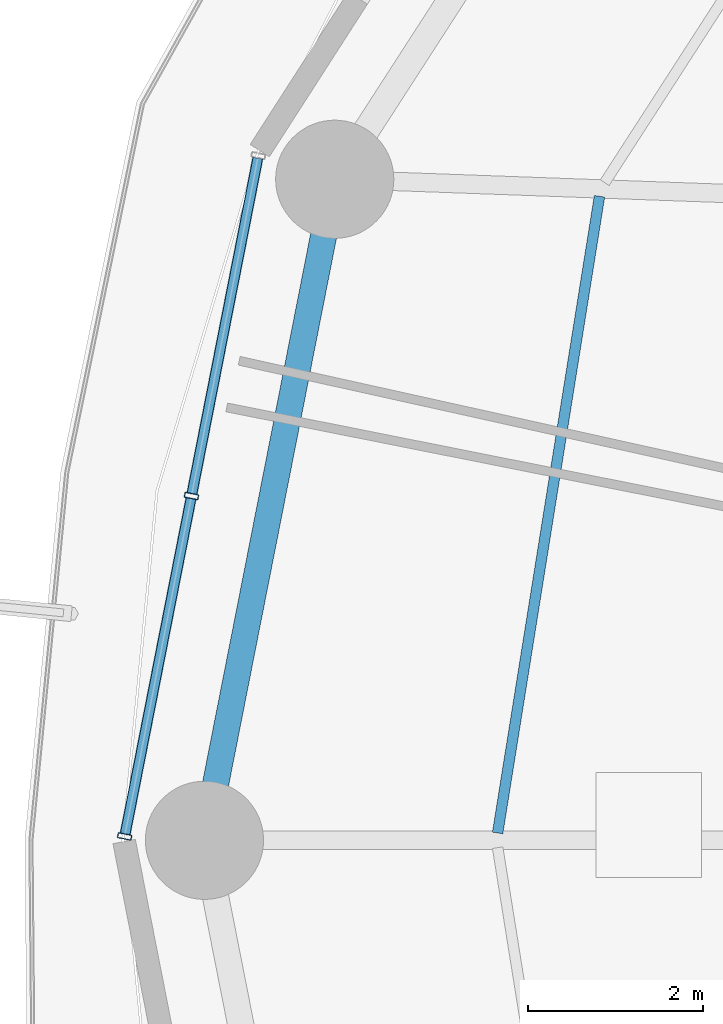
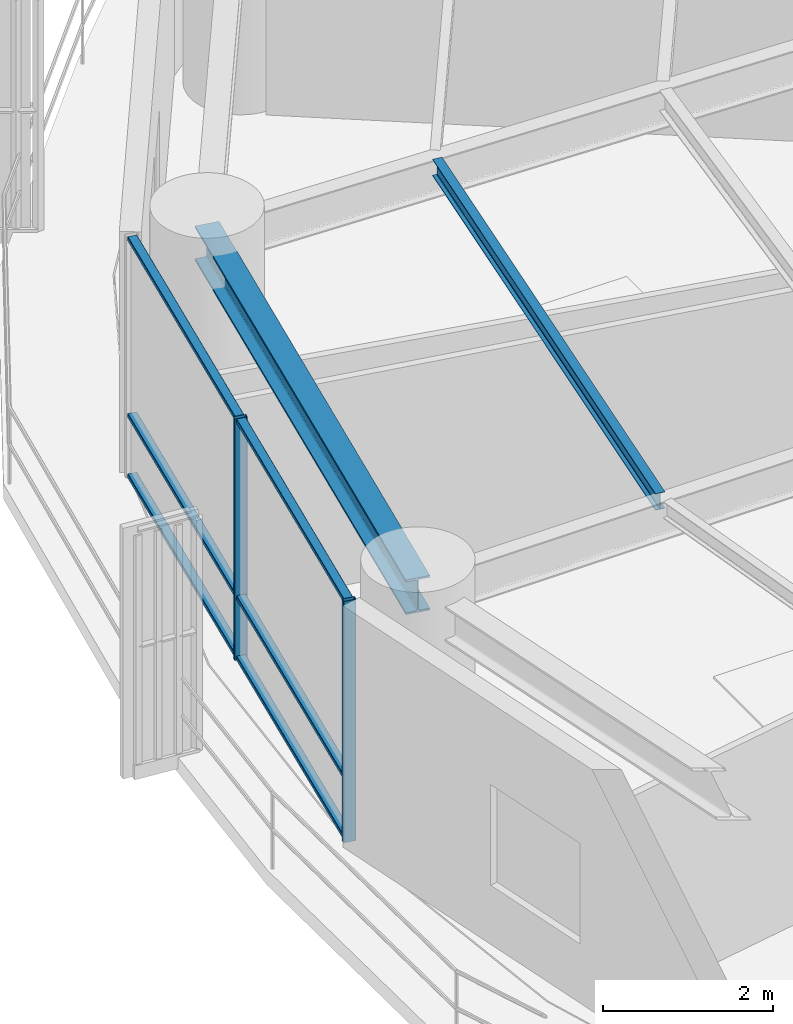
# One storey, part 8 of 35: 8 members, 2 beams, 1 element without a shape of its own.
"""IFC4 building model written with IfcOpenShell, lengths in metres."""

from ifc_helpers import new_model, si_unit, direction, frame, origin, origin_2d, place, context, subcontext, project, spatial, hollow_rectangle, i_section, extrude, material, layer, layer_set, material_profile, profile_set, type_object, element, aggregate, save


model = new_model("IFC4")

# Units and contexts
model_context = context("Model", 3, precision=1e-05, world=origin(), true_north=direction((0.0, 1.0)))
body_context = subcontext(model_context, "Body", "Model", "MODEL_VIEW")
ifc_project = project(units=[si_unit("LENGTHUNIT", "METRE"), si_unit("AREAUNIT", "SQUARE_METRE"), si_unit("VOLUMEUNIT", "CUBIC_METRE"), si_unit("PLANEANGLEUNIT", "RADIAN"), si_unit("MASSUNIT", "GRAM", prefix="KILO")], contexts=[model_context])

# Site, building, storey
site_placement = place(None, origin())
site = spatial("IfcSite", under=ifc_project, at=site_placement, CompositionType="ELEMENT")
building_placement = place(site_placement, origin())
building = spatial("IfcBuilding", under=site, at=building_placement, Name="Kelanora Arch Commons", CompositionType="ELEMENT")
storey_placement = place(building_placement, frame((0.0, 0.0, 121.35009765625)))
storey = spatial("IfcBuildingStorey", under=building, at=storey_placement, Name="L31", CompositionType="ELEMENT", Elevation=121.35009765625)

# Beams
ifc_material_1 = material(Name="Steel S355", Category="steel")
ifc_material_profile_1 = material_profile(ifc_material_1, i_section(OverallWidth=0.1201171875, OverallDepth=0.239990234375, WebThickness=0.006103515625, FlangeThickness=0.009765625, FilletRadius=0.014892578125, at=origin_2d()), Name="IPE240")
ifc_profile_set_1 = profile_set([ifc_material_profile_1], Name="Steel S355")
beam_type_1 = type_object("IfcBeamType", Name="BM-JST-02", PredefinedType="JOIST", material=ifc_profile_set_1)
beam_1_placement = place(storey_placement, frame((53.833251953125, 65.357421875, 3.369873046875), z_axis=(-0.157999549894, -0.987439184068, 0.0), x_axis=(0.987439184068, -0.157999549894, 0.0)))
element("IfcBeam", 1, at=beam_1_placement, inside=storey, type_object=beam_type_1, Name="Secondary Chord Joist BJC-16 L31", PredefinedType="JOIST", context=body_context, shape_type="SweptSolid", body=[
    extrude(i_section(OverallWidth=0.1201171875, OverallDepth=0.239990234375, WebThickness=0.006103515625, FlangeThickness=0.009765625, FilletRadius=0.014892578125, at=origin_2d()), origin(), (0.0, 0.0, 1.0), 7.365966796875),
])
ifc_material_profile_2 = material_profile(ifc_material_1, i_section(OverallWidth=0.300048828125, OverallDepth=0.5, WebThickness=0.014404296875, FlangeThickness=0.028076171875, FilletRadius=0.027099609375, at=origin_2d()), Name="HEB500")
ifc_profile_set_2 = profile_set([ifc_material_profile_2], Name="Steel S355")
beam_type_2 = type_object("IfcBeamType", Name="BM-SPN-Z2", PredefinedType="SPANDREL", material=ifc_profile_set_2)
beam_2_placement = place(storey_placement, frame((50.808349609375, 65.5517578125, 3.239990234375), z_axis=(-0.19335825777, -0.981128220037, 0.0), x_axis=(0.981128220037, -0.19335825777, 0.0)))
element("IfcBeam", 2, at=beam_2_placement, inside=storey, type_object=beam_type_2, Name="Perimeter Spandrel Beam BS-16 L31", PredefinedType="SPANDREL", context=body_context, shape_type="SweptSolid", body=[
    extrude(i_section(OverallWidth=0.300048828125, OverallDepth=0.5, WebThickness=0.014404296875, FlangeThickness=0.028076171875, FilletRadius=0.027099609375, at=origin_2d()), origin(), (0.0, 0.0, 1.0), 7.697021484375),
])

# Curtain wall, members
ifc_material_2 = material(Name="Terracotta ceramic-fritted low-E glass and aluminium", Category="masonry")
ifc_layer = layer(ifc_material_2, 0.159912109375)
ifc_layer_set = layer_set([ifc_layer], Name="Terracotta ceramic-fritted low-E glass and aluminium")
curtain_wall_type = type_object("IfcCurtainWallType", Name="CW-SYS-01", PredefinedType="NOTDEFINED", material=ifc_layer_set)
curtain_wall_placement = place(storey_placement, origin())
curtain_wall = element("IfcCurtainWall", 3, at=curtain_wall_placement, inside=storey, type_object=curtain_wall_type, Name="Unitised Curtain Wall L31-B08", PredefinedType="NOTDEFINED")
ifc_material_3 = material(Name="Powder-coated aluminium terracotta", Category="masonry")
ifc_material_profile_3 = material_profile(ifc_material_3, hollow_rectangle(XDim=0.159912109375, YDim=0.06005859375, WallThickness=0.0048828125, InnerFilletRadius=0.0048828125, OuterFilletRadius=0.010009765625, at=origin_2d()), Name="CWM160x60")
ifc_profile_set_3 = profile_set([ifc_material_profile_3], Name="Powder-coated aluminium terracotta")
member_type_1 = type_object("IfcMemberType", Name="CWM-STD", PredefinedType="MULLION", material=ifc_profile_set_3)
member_1_placement = place(storey_placement, frame((49.171875, 61.933349609375, 0.0), z_axis=(0.0, 0.0, 1.0), x_axis=(0.981280311646, -0.192584916272, 0.0)))
member_1 = element("IfcMember", 4, at=member_1_placement, type_object=member_type_1, Name="CW-01 mullion 2", PredefinedType="MULLION", context=body_context, shape_type="SweptSolid", body=[
    extrude(hollow_rectangle(XDim=0.159912109375, YDim=0.06005859375, WallThickness=0.0048828125, InnerFilletRadius=0.0048828125, OuterFilletRadius=0.010009765625, at=origin_2d()), origin(), (0.0, 0.0, 1.0), 3.474853515625),
])
member_2_placement = place(storey_placement, frame((48.40869140625, 58.044189453125, 0.0), z_axis=(0.0, 0.0, 1.0), x_axis=(0.981280311646, -0.192584916272, 0.0)))
member_2 = element("IfcMember", 5, at=member_2_placement, type_object=member_type_1, Name="CW-01 mullion 3", PredefinedType="MULLION", context=body_context, shape_type="SweptSolid", body=[
    extrude(hollow_rectangle(XDim=0.159912109375, YDim=0.06005859375, WallThickness=0.0048828125, InnerFilletRadius=0.0048828125, OuterFilletRadius=0.010009765625, at=origin_2d()), origin(), (0.0, 0.0, 1.0), 3.474853515625),
])
ifc_material_profile_4 = material_profile(ifc_material_3, hollow_rectangle(XDim=0.1201171875, YDim=0.06005859375, WallThickness=0.0048828125, InnerFilletRadius=0.0048828125, OuterFilletRadius=0.010009765625, at=origin_2d()), Name="CWT120x60")
ifc_profile_set_4 = profile_set([ifc_material_profile_4], Name="Powder-coated aluminium terracotta")
member_type_2 = type_object("IfcMemberType", Name="CWT-STD", PredefinedType="USERDEFINED", material=ifc_profile_set_4)
member_3_placement = place(storey_placement, frame((49.929443359375, 65.79296875, 0.02978515625), z_axis=(-0.192578614785, -0.981281548348, 0.0), x_axis=(0.981281548348, -0.192578614785, 0.0)))
member_3 = element("IfcMember", 6, at=member_3_placement, type_object=member_type_2, Name="CW-01 transom 1.1", ObjectType="TRANSOM", PredefinedType="USERDEFINED", context=body_context, shape_type="SweptSolid", body=[
    extrude(hollow_rectangle(XDim=0.1201171875, YDim=0.06005859375, WallThickness=0.0048828125, InnerFilletRadius=0.0048828125, OuterFilletRadius=0.010009765625, at=origin_2d()), origin(), (0.0, 0.0, 1.0), 3.9033203125),
])
member_4_placement = place(storey_placement, frame((49.929443359375, 65.79296875, 0.89990234375), z_axis=(-0.192578614785, -0.981281548348, 0.0), x_axis=(0.981281548348, -0.192578614785, 0.0)))
member_4 = element("IfcMember", 7, at=member_4_placement, type_object=member_type_2, Name="CW-01 transom 1.2", ObjectType="TRANSOM", PredefinedType="USERDEFINED", context=body_context, shape_type="SweptSolid", body=[
    extrude(hollow_rectangle(XDim=0.1201171875, YDim=0.06005859375, WallThickness=0.0048828125, InnerFilletRadius=0.0048828125, OuterFilletRadius=0.010009765625, at=origin_2d()), origin(), (0.0, 0.0, 1.0), 3.9033203125),
])
member_5_placement = place(storey_placement, frame((49.929443359375, 65.79296875, 3.44482421875), z_axis=(-0.192578614785, -0.981281548348, 0.0), x_axis=(0.981281548348, -0.192578614785, 0.0)))
member_5 = element("IfcMember", 8, at=member_5_placement, type_object=member_type_2, Name="CW-01 transom 1.3", ObjectType="TRANSOM", PredefinedType="USERDEFINED", context=body_context, shape_type="SweptSolid", body=[
    extrude(hollow_rectangle(XDim=0.1201171875, YDim=0.06005859375, WallThickness=0.0048828125, InnerFilletRadius=0.0048828125, OuterFilletRadius=0.010009765625, at=origin_2d()), origin(), (0.0, 0.0, 1.0), 3.9033203125),
])
member_6_placement = place(storey_placement, frame((49.166259765625, 61.90380859375, 0.02978515625), z_axis=(-0.192578614785, -0.981281548348, 0.0), x_axis=(0.981281548348, -0.192578614785, 0.0)))
member_6 = element("IfcMember", 9, at=member_6_placement, type_object=member_type_2, Name="CW-01 transom 2.1", ObjectType="TRANSOM", PredefinedType="USERDEFINED", context=body_context, shape_type="SweptSolid", body=[
    extrude(hollow_rectangle(XDim=0.1201171875, YDim=0.06005859375, WallThickness=0.0048828125, InnerFilletRadius=0.0048828125, OuterFilletRadius=0.010009765625, at=origin_2d()), origin(), (0.0, 0.0, 1.0), 3.9033203125),
])
member_7_placement = place(storey_placement, frame((49.166259765625, 61.90380859375, 0.89990234375), z_axis=(-0.192578614785, -0.981281548348, 0.0), x_axis=(0.981281548348, -0.192578614785, 0.0)))
member_7 = element("IfcMember", 10, at=member_7_placement, type_object=member_type_2, Name="CW-01 transom 2.2", ObjectType="TRANSOM", PredefinedType="USERDEFINED", context=body_context, shape_type="SweptSolid", body=[
    extrude(hollow_rectangle(XDim=0.1201171875, YDim=0.06005859375, WallThickness=0.0048828125, InnerFilletRadius=0.0048828125, OuterFilletRadius=0.010009765625, at=origin_2d()), origin(), (0.0, 0.0, 1.0), 3.9033203125),
])
member_8_placement = place(storey_placement, frame((49.166259765625, 61.90380859375, 3.44482421875), z_axis=(-0.192578614785, -0.981281548348, 0.0), x_axis=(0.981281548348, -0.192578614785, 0.0)))
member_8 = element("IfcMember", 11, at=member_8_placement, type_object=member_type_2, Name="CW-01 transom 2.3", ObjectType="TRANSOM", PredefinedType="USERDEFINED", context=body_context, shape_type="SweptSolid", body=[
    extrude(hollow_rectangle(XDim=0.1201171875, YDim=0.06005859375, WallThickness=0.0048828125, InnerFilletRadius=0.0048828125, OuterFilletRadius=0.010009765625, at=origin_2d()), origin(), (0.0, 0.0, 1.0), 3.9033203125),
])
aggregate(curtain_wall, [member_1, member_2, member_3, member_4, member_5, member_6, member_7, member_8])

save(model, "model.ifc")
